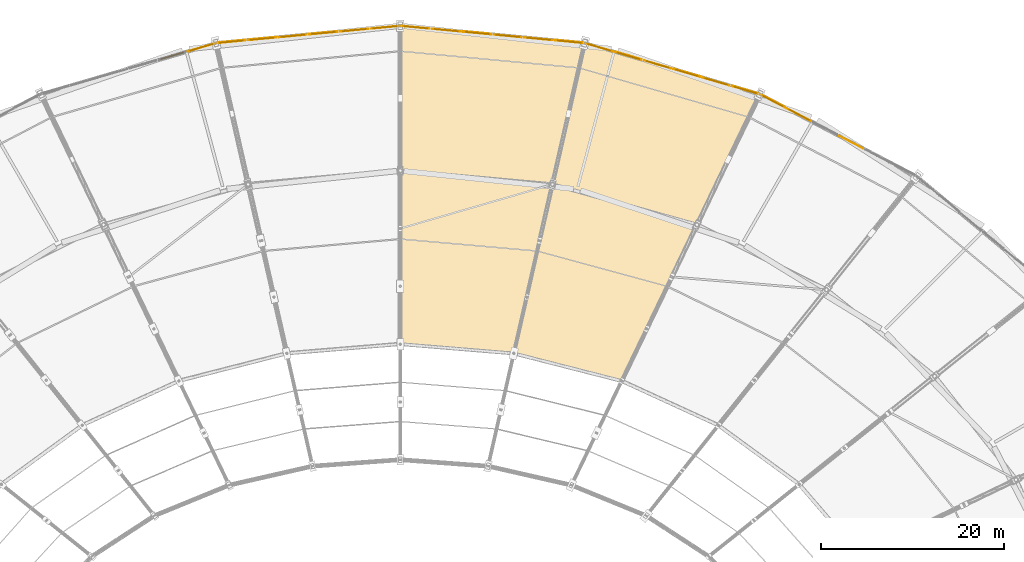
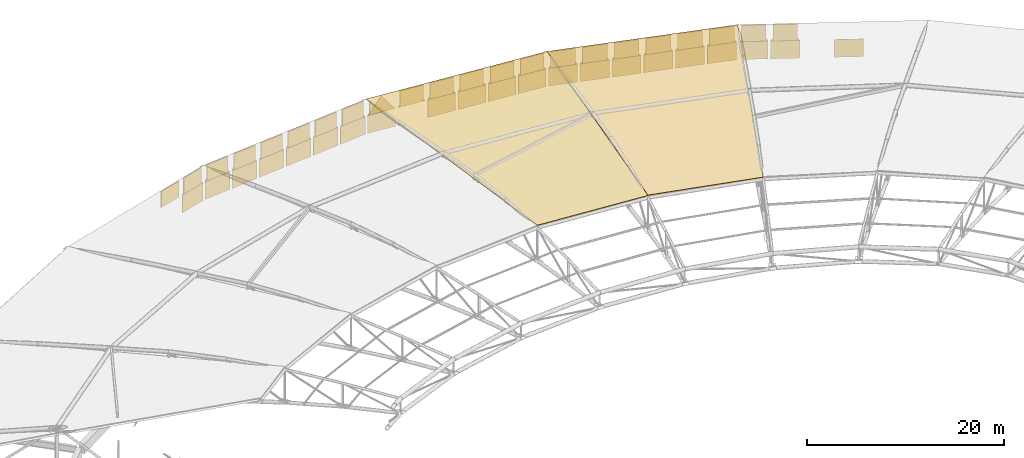
# One storey, part 107 of 108: 45 coverings, 22 shading devices.
"""IFC4 building model written with IfcOpenShell, lengths in metres."""

import ifcopenshell
import ifcopenshell.guid

model = None  # the IFC model being written
_history = None  # IfcOwnerHistory: only IFC2X3 demands one
_inside = {}  # id of a spatial element -> (the spatial element, [elements in it])
_under = {}  # id of a project, library or spatial element -> (it, [spatial elements below it])
_declared = {}  # id of a project -> (the project, [libraries it declares])
_typed = {}  # id of a type object -> (the type object, [elements of that type])
_made_of = {}  # id of a material, layer set ... -> (it, [elements and type objects made of it])


def new_model(schema):
    """Start an empty IFC model of exactly this schema.

    Asked for "IFC4X3", IfcOpenShell would pick the latest addendum, in which some entities
    have other attributes; the version numbers below select the first issue.
    IFC2X3 requires an IfcOwnerHistory on every rooted entity: one is made here for all.
    """
    global model, _history
    if schema == "IFC4X3":
        model = ifcopenshell.file(schema_version=(4, 3, 0, 0))
    else:
        model = ifcopenshell.file(schema=schema)
    _inside.clear()
    _under.clear()
    _declared.clear()
    _typed.clear()
    _made_of.clear()
    _history = None
    if model.schema == "IFC2X3":
        org = make("IfcOrganization", Name="unknown")
        user = make(
            "IfcPersonAndOrganization",
            ThePerson=make("IfcPerson", FamilyName="unknown"),
            TheOrganization=org,
        )
        app = make(
            "IfcApplication",
            ApplicationDeveloper=org,
            Version="unknown",
            ApplicationFullName="unknown",
            ApplicationIdentifier="unknown",
        )
        _history = make(
            "IfcOwnerHistory",
            OwningUser=user,
            OwningApplication=app,
            ChangeAction="ADDED",
            CreationDate=0,
        )
    return model


def make(cls, **values):
    """One entity of the class cls with the attributes given. An attribute that is None is left unset."""
    return model.create_entity(
        cls, **{name: value for name, value in values.items() if value is not None}
    )


def rooted(cls, **values):
    """An entity with a GlobalId (a new one), such as an element, a storey or a relation."""
    return make(cls, GlobalId=ifcopenshell.guid.new(), OwnerHistory=_history, **values)


def si_unit(unit_type, name, prefix=None):
    """IfcSIUnit, for example si_unit("LENGTHUNIT", "METRE", prefix="MILLI")."""
    return make("IfcSIUnit", UnitType=unit_type, Prefix=prefix, Name=name)


def assignment(units):
    """IfcUnitAssignment: the units of a project."""
    return None if units is None else make("IfcUnitAssignment", Units=units)


def point(xyz):
    """IfcCartesianPoint."""
    return None if xyz is None else make("IfcCartesianPoint", Coordinates=xyz)


def direction(xyz):
    """IfcDirection."""
    return None if xyz is None else make("IfcDirection", DirectionRatios=xyz)


def frame(location, z_axis=None, x_axis=None):
    """IfcAxis2Placement3D, a coordinate frame: its origin and axes. An axis left out is left unset."""
    return make(
        "IfcAxis2Placement3D",
        Location=point(location),
        Axis=direction(z_axis),
        RefDirection=direction(x_axis),
    )


def frame_2d(location, x_axis=None):
    """IfcAxis2Placement2D, a coordinate frame in the plane: its origin and x axis."""
    return make(
        "IfcAxis2Placement2D", Location=point(location), RefDirection=direction(x_axis)
    )


def origin():
    """The frame at (0, 0, 0) with its axes left unset."""
    return frame((0.0, 0.0, 0.0))


def origin_2d():
    """The frame at (0, 0) in the plane with its x axis left unset."""
    return frame_2d((0.0, 0.0))


def place(relative_to, where):
    """IfcLocalPlacement: puts the frame where relative to a parent placement (None: the world)."""
    return make(
        "IfcLocalPlacement", PlacementRelTo=relative_to, RelativePlacement=where
    )


def context(
    kind, dimensions, precision=None, world=None, true_north=None, identifier=None
):
    """IfcGeometricRepresentationContext, for example the 3D "Model" context."""
    return make(
        "IfcGeometricRepresentationContext",
        ContextIdentifier=identifier,
        ContextType=kind,
        CoordinateSpaceDimension=dimensions,
        Precision=precision,
        WorldCoordinateSystem=world,
        TrueNorth=true_north,
    )


def subcontext(parent, identifier, kind, view, scale=None):
    """IfcGeometricRepresentationSubContext, for example "Body" below "Model"."""
    return make(
        "IfcGeometricRepresentationSubContext",
        ContextIdentifier=identifier,
        ContextType=kind,
        ParentContext=parent,
        TargetScale=scale,
        TargetView=view,
    )


def project(units=None, contexts=None):
    """IfcProject with its units and contexts."""
    return rooted(
        "IfcProject",
        Name="project",
        RepresentationContexts=contexts,
        UnitsInContext=assignment(units),
    )


def spatial(cls, under=None, at=None, **own):
    """A site, building, storey or space (cls), placed at a placement, below another one or the project."""
    s = rooted(cls, ObjectPlacement=at, **own)
    if under is not None:
        _under.setdefault(under.id(), (under, []))[1].append(s)
    return s


def polyline(points):
    """IfcPolyline through the points."""
    return make("IfcPolyline", Points=[point(p) for p in points])


def profile(cls, at=None, kind="AREA", **sizes):
    """A parametric profile (cls). Its sizes go by their IFC names, for example OverallWidth=200.0."""
    return make(cls, ProfileType=kind, Position=at, **sizes)


def rectangle(**sizes):
    """IfcRectangleProfileDef."""
    return profile("IfcRectangleProfileDef", **sizes)


def outline(outer, holes=None, kind="AREA"):
    """IfcArbitraryClosedProfileDef: a profile drawn as a closed curve; with holes, ...WithVoids."""
    if holes is None:
        return make("IfcArbitraryClosedProfileDef", ProfileType=kind, OuterCurve=outer)
    return make(
        "IfcArbitraryProfileDefWithVoids",
        ProfileType=kind,
        OuterCurve=outer,
        InnerCurves=holes,
    )


def extrude(swept, where, along, depth):
    """IfcExtrudedAreaSolid: the profile swept, set in the frame where, extruded along a direction by depth."""
    return make(
        "IfcExtrudedAreaSolid",
        SweptArea=swept,
        Position=where,
        ExtrudedDirection=direction(along),
        Depth=depth,
    )


def shape(context_of_items, identifier, shape_type, items):
    """IfcShapeRepresentation: the items that make up one representation, for example the "Body"."""
    return make(
        "IfcShapeRepresentation",
        ContextOfItems=context_of_items,
        RepresentationIdentifier=identifier,
        RepresentationType=shape_type,
        Items=items,
    )


def material(Name=None, Category=None):
    """IfcMaterial."""
    return make("IfcMaterial", Name=Name, Category=Category)


def layer(
    of_material, thickness, ventilated=None, Name=None, Category=None, Priority=None
):
    """IfcMaterialLayer: one layer of a wall or slab, of a material (None: an air gap)."""
    return make(
        "IfcMaterialLayer",
        Material=of_material,
        LayerThickness=thickness,
        IsVentilated=ventilated,
        Name=Name,
        Category=Category,
        Priority=Priority,
    )


def layer_set(layers, Name=None):
    """IfcMaterialLayerSet."""
    return make("IfcMaterialLayerSet", MaterialLayers=layers, LayerSetName=Name)


def made_of(thing, what):
    """Note that an element or type object is made of a material, layer set ...; save() writes the relation."""
    if what is not None:
        _made_of.setdefault(what.id(), (what, []))[1].append(thing)
    return thing


def type_object(cls, material=None, **own):
    """A type object (cls), such as IfcWallType, which elements share."""
    return made_of(rooted(cls, **own), material)


def element(
    cls,
    number,
    at=None,
    inside=None,
    cuts=None,
    type_object=None,
    material=None,
    context=None,
    identifier="Body",
    shape_type=None,
    held_by="IfcProductDefinitionShape",
    body=None,
    shapes=None,
    **own,
):
    """One element of the class cls, such as IfcWall. Its Tag is "e" and its number.

    at: its placement. inside: the storey or other place that contains it. cuts: it is an
    opening in that element (IfcRelVoidsElement). A single representation is given by context,
    identifier, shape_type and body (its items); several are given by shapes. held_by: the class
    of the entity that holds the representations. save() writes the other relations.
    """
    e = rooted(cls, Tag="e%d" % number, ObjectPlacement=at, **own)
    if body is not None:
        shapes = [shape(context, identifier, shape_type, body)]
    if shapes is not None:
        e.Representation = make(held_by, Representations=shapes)
    if inside is not None:
        _inside.setdefault(inside.id(), (inside, []))[1].append(e)
    if cuts is not None:
        rooted(
            "IfcRelVoidsElement", RelatingBuildingElement=cuts, RelatedOpeningElement=e
        )
    if type_object is not None:
        _typed.setdefault(type_object.id(), (type_object, []))[1].append(e)
    return made_of(e, material)


def aggregate(whole, parts):
    """IfcRelAggregates: a whole, such as a stair, and the parts it consists of."""
    return rooted("IfcRelAggregates", RelatingObject=whole, RelatedObjects=parts)


def save(model, path):
    """Write the relations noted so far, then the file.

    IfcRelAggregates (storeys below a building ...), IfcRelContainedInSpatialStructure (elements
    in a storey), IfcRelDefinesByType, IfcRelAssociatesMaterial and IfcRelDeclares: one each for
    every whole, place, type object, material and project.
    """
    for whole, parts in _under.values():
        aggregate(whole, parts)
    for where, things in _inside.values():
        rooted(
            "IfcRelContainedInSpatialStructure",
            RelatedElements=things,
            RelatingStructure=where,
        )
    for kind, things in _typed.values():
        rooted("IfcRelDefinesByType", RelatedObjects=things, RelatingType=kind)
    for what, things in _made_of.values():
        rooted("IfcRelAssociatesMaterial", RelatedObjects=things, RelatingMaterial=what)
    for by, libraries in _declared.values():
        rooted("IfcRelDeclares", RelatingContext=by, RelatedDefinitions=libraries)
    model.write(path)


model = new_model("IFC4")

# Units and contexts
model_context = context("Model", 3, precision=1e-05, world=origin(), true_north=direction((0.0, 1.0)))
body_context = subcontext(model_context, "Body", "Model", "MODEL_VIEW")
ifc_project = project(units=[si_unit("LENGTHUNIT", "METRE"), si_unit("AREAUNIT", "SQUARE_METRE"), si_unit("VOLUMEUNIT", "CUBIC_METRE"), si_unit("PLANEANGLEUNIT", "RADIAN"), si_unit("MASSUNIT", "GRAM", prefix="KILO")], contexts=[model_context])

# Site, building, storey
site_placement = place(None, origin())
site = spatial("IfcSite", under=ifc_project, at=site_placement, CompositionType="ELEMENT")
building_placement = place(site_placement, origin())
building = spatial("IfcBuilding", under=site, at=building_placement, Name="Zevraka Park Crest Stadium", CompositionType="ELEMENT")
storey_placement = place(building_placement, frame((0.0, 0.0, 29.39990234375)))
storey = spatial("IfcBuildingStorey", under=building, at=storey_placement, Name="RF", CompositionType="ELEMENT", Elevation=29.39990234375)

# Coverings
ifc_material_1 = material(Name="Architectural golden-bronze perforated aluminium", Category="aluminium")
ifc_layer_1 = layer(ifc_material_1, 0.034912109375)
ifc_layer_set_1 = layer_set([ifc_layer_1], Name="Architectural golden-bronze perforated aluminium")
covering_type_1 = type_object("IfcCoveringType", Name="CLD01", PredefinedType="CLADDING", material=ifc_layer_set_1)
for number, where, z_axis, x_axis, name in (
    (1, (162.47998046875, 153.922119140625, 0.0), (0.464265532752, 0.885696062483, 0.0), (-0.885696062483, 0.464265532752, 0.0), "Canopy Crown Perforated Bronze Fascia 05-3A"),
    (2, (156.77294921875, 156.912109375, 0.0), (0.464265532752, 0.885696062483, 0.0), (-0.885696062483, 0.464265532752, 0.0), "Canopy Crown Perforated Bronze Fascia 05-5A"),
):
    element("IfcCovering", number, at=place(storey_placement, frame(where, z_axis=z_axis, x_axis=x_axis)), inside=storey, type_object=covering_type_1, Name=name, PredefinedType="CLADDING", context=body_context, shape_type="SweptSolid", body=[
        extrude(outline(polyline([(0.0, 0.0), (2.9637706558621093, 0.0), (2.9637706558621093, 2.2001953125), (0.0, 2.2001953125), (0.0, 0.0)])), origin(), (0.0, 0.0, -1.0), 0.044921875),
    ])
covering_1_placement = place(storey_placement, frame((156.77294921875, 156.912109375, 2.2001953125), z_axis=(0.464265529885, 0.885696057014, 0.000111134777), x_axis=(-0.885696062483, 0.464265532752, 0.0)))
element("IfcCovering", 3, at=covering_1_placement, inside=storey, type_object=covering_type_1, Name="Canopy Crown Triangular Bronze Screen 05-5B", PredefinedType="CLADDING", context=body_context, shape_type="SweptSolid", body=[
    extrude(outline(polyline([(0.0, 0.0), (2.9637706558621093, 0.0), (1.482317796711564, 2.0397949344716912), (0.0, 0.0)])), origin(), (0.0, 0.0, -1.0), 0.044921875),
])
covering_2_placement = place(storey_placement, frame((153.9189453125, 158.407958984375, 0.0), z_axis=(0.464006994671, 0.88583153528, 0.0), x_axis=(-0.88583153528, 0.464006994671, 0.0)))
element("IfcCovering", 4, at=covering_2_placement, inside=storey, type_object=covering_type_1, Name="Canopy Crown Perforated Bronze Fascia 05-6A", PredefinedType="CLADDING", context=body_context, shape_type="SweptSolid", body=[
    extrude(outline(polyline([(0.0, 0.0), (2.9633173977824248, 0.0), (2.9633173977824248, 2.2001953125), (0.0, 2.2001953125), (0.0, 0.0)])), origin(), (0.0, 0.0, -1.0), 0.044921875),
])
covering_3_placement = place(storey_placement, frame((153.9189453125, 158.407958984375, 2.2001953125), z_axis=(-0.464006992305, -0.885831530764, 0.000100975353), x_axis=(-0.88583153528, 0.464006994671, 0.0)))
element("IfcCovering", 5, at=covering_3_placement, inside=storey, type_object=covering_type_1, Name="Canopy Crown Triangular Bronze Screen 05-6B", PredefinedType="CLADDING", context=body_context, shape_type="SweptSolid", body=[
    extrude(outline(polyline([(0.0, 0.0), (2.963317397782425, 0.0), (1.482317799735915, -2.0397949322738973), (0.0, 0.0)])), origin(), (0.0, 0.0, -1.0), 0.044921875),
])
covering_4_placement = place(storey_placement, frame((151.052978515625, 159.8798828125, 0.0), z_axis=(0.280089166115, 0.959973988723, 0.0), x_axis=(-0.959973988723, 0.280089166115, 0.0)))
element("IfcCovering", 6, at=covering_4_placement, inside=storey, type_object=covering_type_1, Name="Canopy Crown Perforated Bronze Fascia 06-1A", PredefinedType="CLADDING", context=body_context, shape_type="SweptSolid", body=[
    extrude(outline(polyline([(0.0, 0.0), (3.0490429819023257, 0.0), (3.0490429819023257, 2.2001953125), (0.0, 2.2001953125), (0.0, 0.0)])), origin(), (0.0, 0.0, -1.0), 0.044921875),
])
covering_5_placement = place(storey_placement, frame((151.052978515625, 159.8798828125, 2.2001953125), z_axis=(-0.280089165131, -0.959973985352, 8.3808847e-05), x_axis=(-0.959973988723, 0.280089166115, 0.0)))
element("IfcCovering", 7, at=covering_5_placement, inside=storey, type_object=covering_type_1, Name="Canopy Crown Triangular Bronze Screen 06-1B", PredefinedType="CLADDING", context=body_context, shape_type="SweptSolid", body=[
    extrude(outline(polyline([(0.0, 0.0), (3.0490429819023257, 1.3552527156068805e-20), (1.5239355693271863, -2.039794929038681), (0.0, 0.0)])), origin(), (0.0, 0.0, -1.0), 0.044921875),
])
covering_6_placement = place(storey_placement, frame((147.8720703125, 160.80810546875, 0.0), z_axis=(0.280089166115, 0.959973988723, 0.0), x_axis=(-0.959973988723, 0.280089166115, 0.0)))
element("IfcCovering", 8, at=covering_6_placement, inside=storey, type_object=covering_type_1, Name="Canopy Crown Perforated Bronze Fascia 06-2A", PredefinedType="CLADDING", context=body_context, shape_type="SweptSolid", body=[
    extrude(outline(polyline([(0.0, 0.0), (3.0490429819023257, 0.0), (3.0490429819023257, 2.2001953125), (0.0, 2.2001953125), (0.0, 0.0)])), origin(), (0.0, 0.0, -1.0), 0.044921875),
])
covering_7_placement = place(storey_placement, frame((147.8720703125, 160.80810546875, 2.2001953125), z_axis=(0.280089165131, 0.959973985352, 8.3808847e-05), x_axis=(-0.959973988723, 0.280089166115, 0.0)))
element("IfcCovering", 9, at=covering_7_placement, inside=storey, type_object=covering_type_1, Name="Canopy Crown Triangular Bronze Screen 06-2B", PredefinedType="CLADDING", context=body_context, shape_type="SweptSolid", body=[
    extrude(outline(polyline([(0.0, 0.0), (3.0490429819023257, 1.3552527156068805e-20), (1.5251074125751394, 2.039794929038681), (0.0, 0.0)])), origin(), (0.0, 0.0, -1.0), 0.044921875),
])
covering_8_placement = place(storey_placement, frame((144.69091796875, 161.736083984375, 0.0), z_axis=(0.280089166115, 0.959973988723, 0.0), x_axis=(-0.959973988723, 0.280089166115, 0.0)))
element("IfcCovering", 10, at=covering_8_placement, inside=storey, type_object=covering_type_1, Name="Canopy Crown Perforated Bronze Fascia 06-3A", PredefinedType="CLADDING", context=body_context, shape_type="SweptSolid", body=[
    extrude(outline(polyline([(0.0, 0.0), (3.0490429819023257, 0.0), (3.0490429819023257, 2.2001953125), (0.0, 2.2001953125), (0.0, 0.0)])), origin(), (0.0, 0.0, -1.0), 0.044921875),
])
covering_9_placement = place(storey_placement, frame((144.69091796875, 161.736083984375, 2.2001953125), z_axis=(-0.280089165131, -0.959973985352, 8.3808847e-05), x_axis=(-0.959973988723, 0.280089166115, 0.0)))
element("IfcCovering", 11, at=covering_9_placement, inside=storey, type_object=covering_type_1, Name="Canopy Crown Triangular Bronze Screen 06-3B", PredefinedType="CLADDING", context=body_context, shape_type="SweptSolid", body=[
    extrude(outline(polyline([(0.0, 0.0), (3.0490429819023257, 1.3552527156068805e-20), (1.5239355693271863, -2.039794929038681), (0.0, 0.0)])), origin(), (0.0, 0.0, -1.0), 0.044921875),
])
covering_10_placement = place(storey_placement, frame((141.510009765625, 162.6650390625, 0.0), z_axis=(0.280089166115, 0.959973988723, 0.0), x_axis=(-0.959973988723, 0.280089166115, 0.0)))
element("IfcCovering", 12, at=covering_10_placement, inside=storey, type_object=covering_type_1, Name="Canopy Crown Perforated Bronze Fascia 06-4A", PredefinedType="CLADDING", context=body_context, shape_type="SweptSolid", body=[
    extrude(outline(polyline([(0.0, 0.0), (3.0490429819023257, 0.0), (3.0490429819023257, 2.2001953125), (0.0, 2.2001953125), (0.0, 0.0)])), origin(), (0.0, 0.0, -1.0), 0.044921875),
])
covering_11_placement = place(storey_placement, frame((141.510009765625, 162.6650390625, 2.2001953125), z_axis=(0.280089165131, 0.959973985352, 8.3808847e-05), x_axis=(-0.959973988723, 0.280089166115, 0.0)))
element("IfcCovering", 13, at=covering_11_placement, inside=storey, type_object=covering_type_1, Name="Canopy Crown Triangular Bronze Screen 06-4B", PredefinedType="CLADDING", context=body_context, shape_type="SweptSolid", body=[
    extrude(outline(polyline([(0.0, 0.0), (3.0490429819023257, 1.3552527156068805e-20), (1.5251074125751394, 2.039794929038681), (0.0, 0.0)])), origin(), (0.0, 0.0, -1.0), 0.044921875),
])
covering_12_placement = place(storey_placement, frame((138.3291015625, 163.593017578125, 0.0), z_axis=(0.280089166115, 0.959973988723, 0.0), x_axis=(-0.959973988723, 0.280089166115, 0.0)))
element("IfcCovering", 14, at=covering_12_placement, inside=storey, type_object=covering_type_1, Name="Canopy Crown Perforated Bronze Fascia 06-5A", PredefinedType="CLADDING", context=body_context, shape_type="SweptSolid", body=[
    extrude(outline(polyline([(0.0, 0.0), (3.0490429819023257, 0.0), (3.0490429819023257, 2.2001953125), (0.0, 2.2001953125), (0.0, 0.0)])), origin(), (0.0, 0.0, -1.0), 0.044921875),
])
covering_13_placement = place(storey_placement, frame((138.3291015625, 163.593017578125, 2.2001953125), z_axis=(-0.280089165761, -0.959973987509, 5.0285308e-05), x_axis=(-0.959973988723, 0.280089166115, 0.0)))
element("IfcCovering", 15, at=covering_13_placement, inside=storey, type_object=covering_type_1, Name="Canopy Crown Triangular Bronze Screen 06-5B", PredefinedType="CLADDING", context=body_context, shape_type="SweptSolid", body=[
    extrude(outline(polyline([(0.0, 0.0), (3.0490429819023257, 0.0), (1.5241699379767768, -2.039794924453925), (0.0, 0.0)])), origin(), (0.0, 0.0, -1.0), 0.044921875),
])
covering_14_placement = place(storey_placement, frame((135.14794921875, 164.52099609375, 0.0), z_axis=(0.280089166115, 0.959973988723, 0.0), x_axis=(-0.959973988723, 0.280089166115, 0.0)))
element("IfcCovering", 16, at=covering_14_placement, inside=storey, type_object=covering_type_1, Name="Canopy Crown Perforated Bronze Fascia 06-6A", PredefinedType="CLADDING", context=body_context, shape_type="SweptSolid", body=[
    extrude(outline(polyline([(0.0, 0.0), (3.0490429819023257, 0.0), (3.0490429819023257, 2.2001953125), (0.0, 2.2001953125), (0.0, 0.0)])), origin(), (0.0, 0.0, -1.0), 0.044921875),
])
covering_15_placement = place(storey_placement, frame((135.14794921875, 164.52099609375, 2.2001953125), z_axis=(0.280089165761, 0.959973987509, 5.0285308e-05), x_axis=(-0.959973988723, 0.280089166115, 0.0)))
element("IfcCovering", 17, at=covering_15_placement, inside=storey, type_object=covering_type_1, Name="Canopy Crown Triangular Bronze Screen 06-6B", PredefinedType="CLADDING", context=body_context, shape_type="SweptSolid", body=[
    extrude(outline(polyline([(0.0, 0.0), (3.0490429819023257, 0.0), (1.5248730439255487, 2.039794924453925), (0.0, 0.0)])), origin(), (0.0, 0.0, -1.0), 0.044921875),
])
covering_16_placement = place(storey_placement, frame((131.9599609375, 165.425048828125, 0.0), z_axis=(0.093409138285, 0.995627808413, 0.0), x_axis=(-0.995627808413, 0.093409138285, 0.0)))
element("IfcCovering", 18, at=covering_16_placement, inside=storey, type_object=covering_type_1, Name="Canopy Crown Perforated Bronze Fascia 07-1A", PredefinedType="CLADDING", context=body_context, shape_type="SweptSolid", body=[
    extrude(outline(polyline([(0.0, 0.0), (3.0945848051510843, 0.0), (3.0945848051510843, 2.2001953125), (0.0, 2.2001953125), (0.0, 0.0)])), origin(), (0.0, 0.0, -1.0), 0.044921875),
])
covering_17_placement = place(storey_placement, frame((131.9599609375, 165.425048828125, 2.2001953125), z_axis=(-0.093409135111, -0.995627774581, 0.000260691062), x_axis=(-0.995627808413, 0.093409138285, 0.0)))
element("IfcCovering", 19, at=covering_17_placement, inside=storey, type_object=covering_type_1, Name="Canopy Crown Triangular Bronze Screen 07-1B", PredefinedType="CLADDING", context=body_context, shape_type="SweptSolid", body=[
    extrude(outline(polyline([(0.0, 0.0), (3.0945848051510843, 0.0), (1.5468518661155188, -2.0397949911870614), (0.0, 0.0)])), origin(), (0.0, 0.0, -1.0), 0.044921875),
])
covering_18_placement = place(storey_placement, frame((128.611083984375, 165.739013671875, 0.0), z_axis=(0.093721942407, 0.995598411766, 0.0), x_axis=(-0.995598411766, 0.093721942407, 0.0)))
element("IfcCovering", 20, at=covering_18_placement, inside=storey, type_object=covering_type_1, Name="Canopy Crown Perforated Bronze Fascia 07-2A", PredefinedType="CLADDING", context=body_context, shape_type="SweptSolid", body=[
    extrude(outline(polyline([(0.0, 0.0), (3.0946761777513334, 0.0), (3.0946761777513334, 2.2001953125), (0.0, 2.2001953125), (0.0, 0.0)])), origin(), (0.0, 0.0, -1.0), 0.044921875),
])
covering_19_placement = place(storey_placement, frame((128.611083984375, 165.739013671875, 2.2001953125), z_axis=(0.093721942384, 0.995598411516, 2.2434935e-05), x_axis=(-0.995598411766, 0.093721942407, 0.0)))
element("IfcCovering", 21, at=covering_19_placement, inside=storey, type_object=covering_type_1, Name="Canopy Crown Triangular Bronze Screen 07-2B", PredefinedType="CLADDING", context=body_context, shape_type="SweptSolid", body=[
    extrude(outline(polyline([(0.0, 0.0), (3.0946761777513334, 8.470329472543003e-22), (1.5478242209126618, 2.039794922388341), (0.0, 0.0)])), origin(), (0.0, 0.0, -1.0), 0.044921875),
])
covering_20_placement = place(storey_placement, frame((125.261962890625, 166.053955078125, 0.0), z_axis=(0.093409138285, 0.995627808413, 0.0), x_axis=(-0.995627808413, 0.093409138285, 0.0)))
element("IfcCovering", 22, at=covering_20_placement, inside=storey, type_object=covering_type_1, Name="Canopy Crown Perforated Bronze Fascia 07-3A", PredefinedType="CLADDING", context=body_context, shape_type="SweptSolid", body=[
    extrude(outline(polyline([(0.0, 0.0), (3.0945848051510843, 0.0), (3.0945848051510843, 2.2001953125), (0.0, 2.2001953125), (0.0, 0.0)])), origin(), (0.0, 0.0, -1.0), 0.044921875),
])
covering_21_placement = place(storey_placement, frame((125.261962890625, 166.053955078125, 2.2001953125), z_axis=(0.093409135111, 0.995627774581, 0.000260691062), x_axis=(-0.995627808413, 0.093409138285, 0.0)))
element("IfcCovering", 23, at=covering_21_placement, inside=storey, type_object=covering_type_1, Name="Canopy Crown Triangular Bronze Screen 07-3B", PredefinedType="CLADDING", context=body_context, shape_type="SweptSolid", body=[
    extrude(outline(polyline([(0.0, 0.0), (3.0945848051510843, 0.0), (1.5477329390355652, 2.0397949911870614), (0.0, 0.0)])), origin(), (0.0, 0.0, -1.0), 0.044921875),
])
covering_22_placement = place(storey_placement, frame((121.9130859375, 166.368896484375, 0.0), z_axis=(0.093409138285, 0.995627808413, 0.0), x_axis=(-0.995627808413, 0.093409138285, 0.0)))
element("IfcCovering", 24, at=covering_22_placement, inside=storey, type_object=covering_type_1, Name="Canopy Crown Perforated Bronze Fascia 07-4A", PredefinedType="CLADDING", context=body_context, shape_type="SweptSolid", body=[
    extrude(outline(polyline([(0.0, 0.0), (3.0945848051510843, 0.0), (3.0945848051510843, 2.2001953125), (0.0, 2.2001953125), (0.0, 0.0)])), origin(), (0.0, 0.0, -1.0), 0.044921875),
])
covering_23_placement = place(storey_placement, frame((121.9130859375, 166.368896484375, 2.2001953125), z_axis=(-0.093409136107, -0.995627785193, 0.000215970951), x_axis=(-0.995627808413, 0.093409138285, 0.0)))
element("IfcCovering", 25, at=covering_23_placement, inside=storey, type_object=covering_type_1, Name="Canopy Crown Triangular Bronze Screen 07-4B", PredefinedType="CLADDING", context=body_context, shape_type="SweptSolid", body=[
    extrude(outline(polyline([(0.0, 0.0), (3.0945848051510843, 0.0), (1.547824158897172, -2.03979496944654), (0.0, 0.0)])), origin(), (0.0, 0.0, -1.0), 0.044921875),
])
covering_24_placement = place(storey_placement, frame((118.56396484375, 166.68310546875, 0.0), z_axis=(0.093643743975, 0.995605769978, 0.0), x_axis=(-0.995605769978, 0.093643743975, 0.0)))
element("IfcCovering", 26, at=covering_24_placement, inside=storey, type_object=covering_type_1, Name="Canopy Crown Perforated Bronze Fascia 07-5A", PredefinedType="CLADDING", context=body_context, shape_type="SweptSolid", body=[
    extrude(outline(polyline([(0.0, 0.0), (3.0946533059634094, 0.0), (3.0946533059634094, 2.2001953125), (0.0, 2.2001953125), (0.0, 0.0)])), origin(), (0.0, 0.0, -1.0), 0.044921875),
])
covering_25_placement = place(storey_placement, frame((118.56396484375, 166.68310546875, 2.2001953125), z_axis=(0.09364374391, 0.995605769291, 3.7165218e-05), x_axis=(-0.995605769978, 0.093643743975, 0.0)))
element("IfcCovering", 27, at=covering_25_placement, inside=storey, type_object=covering_type_1, Name="Canopy Crown Triangular Bronze Screen 07-5B", PredefinedType="CLADDING", context=body_context, shape_type="SweptSolid", body=[
    extrude(outline(polyline([(0.0, 0.0), (3.0946533059634094, 0.0), (1.546829086230742, 2.039794923283737), (0.0, 0.0)])), origin(), (0.0, 0.0, -1.0), 0.044921875),
])
covering_26_placement = place(storey_placement, frame((115.215087890625, 166.998046875, 0.0), z_axis=(0.093409138285, 0.995627808413, 0.0), x_axis=(-0.995627808413, 0.093409138285, 0.0)))
element("IfcCovering", 28, at=covering_26_placement, inside=storey, type_object=covering_type_1, Name="Canopy Crown Perforated Bronze Fascia 07-6A", PredefinedType="CLADDING", context=body_context, shape_type="SweptSolid", body=[
    extrude(outline(polyline([(0.0, 0.0), (3.0945848051510843, 0.0), (3.0945848051510843, 2.2001953125), (0.0, 2.2001953125), (0.0, 0.0)])), origin(), (0.0, 0.0, -1.0), 0.044921875),
])
covering_27_placement = place(storey_placement, frame((115.215087890625, 166.998046875, 2.2001953125), z_axis=(0.093409135111, 0.995627774581, 0.000260691062), x_axis=(-0.995627808413, 0.093409138285, 0.0)))
element("IfcCovering", 29, at=covering_27_placement, inside=storey, type_object=covering_type_1, Name="Canopy Crown Triangular Bronze Screen 07-6B", PredefinedType="CLADDING", context=body_context, shape_type="SweptSolid", body=[
    extrude(outline(polyline([(0.0, 0.0), (3.0945848051510843, 0.0), (1.5477329390355652, 2.0397949911870614), (0.0, 0.0)])), origin(), (0.0, 0.0, -1.0), 0.044921875),
])
covering_28_placement = place(storey_placement, frame((111.865966796875, 167.287109375, 0.0), z_axis=(-0.093409138285, 0.995627808413, 0.0), x_axis=(-0.995627808413, -0.093409138285, 0.0)))
element("IfcCovering", 30, at=covering_28_placement, inside=storey, type_object=covering_type_1, Name="Canopy Crown Perforated Bronze Fascia 08-1A", PredefinedType="CLADDING", context=body_context, shape_type="SweptSolid", body=[
    extrude(outline(polyline([(0.0, 0.0), (3.0945848051510843, 0.0), (3.0945848051510843, 2.2001953125), (0.0, 2.2001953125), (0.0, 0.0)])), origin(), (0.0, 0.0, -1.0), 0.044921875),
])
covering_29_placement = place(storey_placement, frame((111.865966796875, 167.287109375, 2.2001953125), z_axis=(-0.093409135111, 0.995627774581, 0.000260691062), x_axis=(-0.995627808413, -0.093409138285, 0.0)))
element("IfcCovering", 31, at=covering_29_placement, inside=storey, type_object=covering_type_1, Name="Canopy Crown Triangular Bronze Screen 08-1B", PredefinedType="CLADDING", context=body_context, shape_type="SweptSolid", body=[
    extrude(outline(polyline([(0.0, 0.0), (3.0945848051510843, 0.0), (1.5468518661155188, 2.0397949911870614), (0.0, 0.0)])), origin(), (0.0, 0.0, -1.0), 0.044921875),
])
covering_30_placement = place(storey_placement, frame((108.51708984375, 166.972900390625, 0.0), z_axis=(-0.093643743975, 0.995605769978, 0.0), x_axis=(-0.995605769978, -0.093643743975, 0.0)))
element("IfcCovering", 32, at=covering_30_placement, inside=storey, type_object=covering_type_1, Name="Canopy Crown Perforated Bronze Fascia 08-2A", PredefinedType="CLADDING", context=body_context, shape_type="SweptSolid", body=[
    extrude(outline(polyline([(0.0, 0.0), (3.0946533059634094, 0.0), (3.0946533059634094, 2.2001953125), (0.0, 2.2001953125), (0.0, 0.0)])), origin(), (0.0, 0.0, -1.0), 0.044921875),
])
covering_31_placement = place(storey_placement, frame((108.51708984375, 166.972900390625, 2.2001953125), z_axis=(-0.09364374391, 0.995605769291, 3.7165218e-05), x_axis=(-0.995605769978, -0.093643743975, 0.0)))
element("IfcCovering", 33, at=covering_31_placement, inside=storey, type_object=covering_type_1, Name="Canopy Crown Triangular Bronze Screen 08-2B", PredefinedType="CLADDING", context=body_context, shape_type="SweptSolid", body=[
    extrude(outline(polyline([(0.0, 0.0), (3.0946533059634094, 0.0), (1.547824219732668, 2.039794923283737), (0.0, 0.0)])), origin(), (0.0, 0.0, -1.0), 0.044921875),
])
covering_32_placement = place(storey_placement, frame((105.16796875, 166.657958984375, 0.0), z_axis=(-0.093409138285, 0.995627808413, 0.0), x_axis=(-0.995627808413, -0.093409138285, 0.0)))
element("IfcCovering", 34, at=covering_32_placement, inside=storey, type_object=covering_type_1, Name="Canopy Crown Perforated Bronze Fascia 08-3A", PredefinedType="CLADDING", context=body_context, shape_type="SweptSolid", body=[
    extrude(outline(polyline([(0.0, 0.0), (3.0945848051510843, 0.0), (3.0945848051510843, 2.2001953125), (0.0, 2.2001953125), (0.0, 0.0)])), origin(), (0.0, 0.0, -1.0), 0.044921875),
])
covering_33_placement = place(storey_placement, frame((105.16796875, 166.657958984375, 2.2001953125), z_axis=(0.093409136107, -0.995627785193, 0.000215970951), x_axis=(-0.995627808413, -0.093409138285, 0.0)))
element("IfcCovering", 35, at=covering_33_placement, inside=storey, type_object=covering_type_1, Name="Canopy Crown Triangular Bronze Screen 08-3B", PredefinedType="CLADDING", context=body_context, shape_type="SweptSolid", body=[
    extrude(outline(polyline([(0.0, 0.0), (3.0945848051510843, 0.0), (1.546760646253912, -2.03979496944654), (0.0, 0.0)])), origin(), (0.0, 0.0, -1.0), 0.044921875),
])
covering_34_placement = place(storey_placement, frame((101.819091796875, 166.343017578125, 0.0), z_axis=(-0.093409138285, 0.995627808413, 0.0), x_axis=(-0.995627808413, -0.093409138285, 0.0)))
element("IfcCovering", 36, at=covering_34_placement, inside=storey, type_object=covering_type_1, Name="Canopy Crown Perforated Bronze Fascia 08-4A", PredefinedType="CLADDING", context=body_context, shape_type="SweptSolid", body=[
    extrude(outline(polyline([(0.0, 0.0), (3.0945848051510843, 0.0), (3.0945848051510843, 2.2001953125), (0.0, 2.2001953125), (0.0, 0.0)])), origin(), (0.0, 0.0, -1.0), 0.044921875),
])
covering_35_placement = place(storey_placement, frame((101.819091796875, 166.343017578125, 2.2001953125), z_axis=(-0.093409135111, 0.995627774581, 0.000260691062), x_axis=(-0.995627808413, -0.093409138285, 0.0)))
element("IfcCovering", 37, at=covering_35_placement, inside=storey, type_object=covering_type_1, Name="Canopy Crown Triangular Bronze Screen 08-4B", PredefinedType="CLADDING", context=body_context, shape_type="SweptSolid", body=[
    extrude(outline(polyline([(0.0, 0.0), (3.0945848051510843, 0.0), (1.5468518661155188, 2.0397949911870614), (0.0, 0.0)])), origin(), (0.0, 0.0, -1.0), 0.044921875),
])
covering_36_placement = place(storey_placement, frame((98.469970703125, 166.029052734375, 0.0), z_axis=(-0.093721942407, 0.995598411766, 0.0), x_axis=(-0.995598411766, -0.093721942407, 0.0)))
element("IfcCovering", 38, at=covering_36_placement, inside=storey, type_object=covering_type_1, Name="Canopy Crown Perforated Bronze Fascia 08-5A", PredefinedType="CLADDING", context=body_context, shape_type="SweptSolid", body=[
    extrude(outline(polyline([(0.0, 0.0), (3.0946761777513334, 0.0), (3.0946761777513334, 2.2001953125), (0.0, 2.2001953125), (0.0, 0.0)])), origin(), (0.0, 0.0, -1.0), 0.044921875),
])
covering_37_placement = place(storey_placement, frame((98.469970703125, 166.029052734375, 2.2001953125), z_axis=(0.093721942384, -0.995598411516, 2.2434935e-05), x_axis=(-0.995598411766, -0.093721942407, 0.0)))
element("IfcCovering", 39, at=covering_37_placement, inside=storey, type_object=covering_type_1, Name="Canopy Crown Triangular Bronze Screen 08-5B", PredefinedType="CLADDING", context=body_context, shape_type="SweptSolid", body=[
    extrude(outline(polyline([(0.0, 0.0), (3.0946761777513334, -8.470329472543003e-22), (1.5478242209126618, -2.039794922388341), (0.0, 0.0)])), origin(), (0.0, 0.0, -1.0), 0.044921875),
])
covering_38_placement = place(storey_placement, frame((95.12109375, 165.714111328125, 0.0), z_axis=(-0.093409138285, 0.995627808413, 0.0), x_axis=(-0.995627808413, -0.093409138285, 0.0)))
element("IfcCovering", 40, at=covering_38_placement, inside=storey, type_object=covering_type_1, Name="Canopy Crown Perforated Bronze Fascia 08-6A", PredefinedType="CLADDING", context=body_context, shape_type="SweptSolid", body=[
    extrude(outline(polyline([(0.0, 0.0), (3.0945848051510843, 0.0), (3.0945848051510843, 2.2001953125), (0.0, 2.2001953125), (0.0, 0.0)])), origin(), (0.0, 0.0, -1.0), 0.044921875),
])
covering_39_placement = place(storey_placement, frame((95.12109375, 165.714111328125, 2.2001953125), z_axis=(0.093409135111, -0.995627774581, 0.000260691062), x_axis=(-0.995627808413, -0.093409138285, 0.0)))
element("IfcCovering", 41, at=covering_39_placement, inside=storey, type_object=covering_type_1, Name="Canopy Crown Triangular Bronze Screen 08-6B", PredefinedType="CLADDING", context=body_context, shape_type="SweptSolid", body=[
    extrude(outline(polyline([(0.0, 0.0), (3.0945848051510843, 0.0), (1.5477329390355652, -2.0397949911870614), (0.0, 0.0)])), origin(), (0.0, 0.0, -1.0), 0.044921875),
])
covering_40_placement = place(storey_placement, frame((91.779052734375, 165.375, 0.0), z_axis=(-0.280089166115, 0.959973988723, 0.0), x_axis=(-0.959973988723, -0.280089166115, 0.0)))
element("IfcCovering", 42, at=covering_40_placement, inside=storey, type_object=covering_type_1, Name="Canopy Crown Perforated Bronze Fascia 09-1A", PredefinedType="CLADDING", context=body_context, shape_type="SweptSolid", body=[
    extrude(outline(polyline([(0.0, 0.0), (3.0490429819023257, 0.0), (3.0490429819023257, 2.2001953125), (0.0, 2.2001953125), (0.0, 0.0)])), origin(), (0.0, 0.0, -1.0), 0.044921875),
])
covering_41_placement = place(storey_placement, frame((91.779052734375, 165.375, 2.2001953125), z_axis=(-0.280089165761, 0.959973987509, 5.0285308e-05), x_axis=(-0.959973988723, -0.280089166115, 0.0)))
element("IfcCovering", 43, at=covering_41_placement, inside=storey, type_object=covering_type_1, Name="Canopy Crown Triangular Bronze Screen 09-1B", PredefinedType="CLADDING", context=body_context, shape_type="SweptSolid", body=[
    extrude(outline(polyline([(0.0, 0.0), (3.0490429819023257, 0.0), (1.5241699379767768, 2.039794924453925), (0.0, 0.0)])), origin(), (0.0, 0.0, -1.0), 0.044921875),
])

# Shading devices
ifc_material_2 = material(Name="Terracotta and bronze acoustic ventilation louvre", Category="masonry")
ifc_layer_2 = layer(ifc_material_2, 0.080078125)
ifc_layer_set_2 = layer_set([ifc_layer_2], Name="Terracotta and bronze acoustic ventilation louvre")
shading_device_type = type_object("IfcShadingDeviceType", Name="LVR01", PredefinedType="USERDEFINED", material=ifc_layer_set_2)
for number, where, z_axis, x_axis, name in (
    (44, (155.4599609375, 157.60009765625, 2.22021484375), (0.0, 0.0, 1.0), (-0.88579893978, 0.464069217127, 0.0), "Canopy Crown Acoustic Wind Louvre 05-5"),
    (45, (152.60595703125, 159.095947265625, 2.22021484375), (0.0, 0.0, 1.0), (-0.88579893978, 0.464069217127, 0.0), "Canopy Crown Acoustic Wind Louvre 05-6"),
):
    element("IfcShadingDevice", number, at=place(storey_placement, frame(where, z_axis=z_axis, x_axis=x_axis)), inside=storey, type_object=shading_device_type, Name=name, ObjectType="LOUVRE", PredefinedType="USERDEFINED", context=body_context, shape_type="SweptSolid", body=[
        extrude(rectangle(XDim=2.51904296875, YDim=0.1201171875, at=origin_2d()), origin(), (0.0, 0.0, 1.0), 2.0),
    ])
for number, where, z_axis, x_axis, name in (
    (46, (149.590087890625, 160.306884765625, 2.22021484375), (0.0, 0.0, 1.0), (-0.959952117146, 0.280164117595, 0.0), "Canopy Crown Acoustic Wind Louvre 06-1"),
    (47, (146.407958984375, 161.235107421875, 2.22021484375), (0.0, 0.0, 1.0), (-0.959952117146, 0.280164117595, 0.0), "Canopy Crown Acoustic Wind Louvre 06-2"),
    (48, (143.22802734375, 162.1630859375, 2.22021484375), (0.0, 0.0, 1.0), (-0.959952117146, 0.280164117595, 0.0), "Canopy Crown Acoustic Wind Louvre 06-3"),
    (49, (140.0458984375, 163.092041015625, 2.22021484375), (0.0, 0.0, 1.0), (-0.959952117146, 0.280164117595, 0.0), "Canopy Crown Acoustic Wind Louvre 06-4"),
    (50, (136.865966796875, 164.02001953125, 2.22021484375), (0.0, 0.0, 1.0), (-0.959952117146, 0.280164117595, 0.0), "Canopy Crown Acoustic Wind Louvre 06-5"),
    (51, (133.68408203125, 164.947998046875, 2.22021484375), (0.0, 0.0, 1.0), (-0.959952117146, 0.280164117595, 0.0), "Canopy Crown Acoustic Wind Louvre 06-6"),
):
    element("IfcShadingDevice", number, at=place(storey_placement, frame(where, z_axis=z_axis, x_axis=x_axis)), inside=storey, type_object=shading_device_type, Name=name, ObjectType="LOUVRE", PredefinedType="USERDEFINED", context=body_context, shape_type="SweptSolid", body=[
        extrude(rectangle(XDim=2.591064453125, YDim=0.1201171875, at=origin_2d()), origin(), (0.0, 0.0, 1.0), 2.0),
    ])
for number, where, z_axis, x_axis, name in (
    (52, (130.419921875, 165.570068359375, 2.22021484375), (0.0, 0.0, 1.0), (-0.995611103129, 0.093587025416, 0.0), "Canopy Crown Acoustic Wind Louvre 07-1"),
    (53, (127.070068359375, 165.884033203125, 2.22021484375), (0.0, 0.0, 1.0), (-0.995611103129, 0.093587025416, 0.0), "Canopy Crown Acoustic Wind Louvre 07-2"),
    (54, (123.720947265625, 166.197998046875, 2.22021484375), (0.0, 0.0, 1.0), (-0.995611103129, 0.093587025416, 0.0), "Canopy Crown Acoustic Wind Louvre 07-3"),
    (55, (120.3720703125, 166.513916015625, 2.22021484375), (0.0, 0.0, 1.0), (-0.995611103129, 0.093587025416, 0.0), "Canopy Crown Acoustic Wind Louvre 07-4"),
    (56, (117.02392578125, 166.827880859375, 2.22021484375), (0.0, 0.0, 1.0), (-0.995611103129, 0.093587025416, 0.0), "Canopy Crown Acoustic Wind Louvre 07-5"),
    (57, (113.674072265625, 167.14208984375, 2.22021484375), (0.0, 0.0, 1.0), (-0.995611103129, 0.093587025416, 0.0), "Canopy Crown Acoustic Wind Louvre 07-6"),
    (58, (110.325927734375, 167.14208984375, 2.22021484375), (0.0, 0.0, 1.0), (-0.995611103129, -0.093587025416, 0.0), "Canopy Crown Acoustic Wind Louvre 08-1"),
    (59, (106.97607421875, 166.827880859375, 2.22021484375), (0.0, 0.0, 1.0), (-0.995611103129, -0.093587025416, 0.0), "Canopy Crown Acoustic Wind Louvre 08-2"),
    (60, (103.6279296875, 166.513916015625, 2.22021484375), (0.0, 0.0, 1.0), (-0.995611103129, -0.093587025416, 0.0), "Canopy Crown Acoustic Wind Louvre 08-3"),
    (61, (100.279052734375, 166.197998046875, 2.22021484375), (0.0, 0.0, 1.0), (-0.995611103129, -0.093587025416, 0.0), "Canopy Crown Acoustic Wind Louvre 08-4"),
    (62, (96.928955078125, 165.884033203125, 2.22021484375), (0.0, 0.0, 1.0), (-0.995611103129, -0.093587025416, 0.0), "Canopy Crown Acoustic Wind Louvre 08-5"),
    (63, (93.580078125, 165.570068359375, 2.22021484375), (0.0, 0.0, 1.0), (-0.995611103129, -0.093587025416, 0.0), "Canopy Crown Acoustic Wind Louvre 08-6"),
):
    element("IfcShadingDevice", number, at=place(storey_placement, frame(where, z_axis=z_axis, x_axis=x_axis)), inside=storey, type_object=shading_device_type, Name=name, ObjectType="LOUVRE", PredefinedType="USERDEFINED", context=body_context, shape_type="SweptSolid", body=[
        extrude(rectangle(XDim=2.6298828125, YDim=0.1201171875, at=origin_2d()), origin(), (0.0, 0.0, 1.0), 2.0),
    ])
for number, where, z_axis, x_axis, name in (
    (64, (90.31591796875, 164.947998046875, 2.22021484375), (0.0, 0.0, 1.0), (-0.959952117146, -0.280164117595, 0.0), "Canopy Crown Acoustic Wind Louvre 09-1"),
    (65, (87.134033203125, 164.02001953125, 2.22021484375), (0.0, 0.0, 1.0), (-0.959952117146, -0.280164117595, 0.0), "Canopy Crown Acoustic Wind Louvre 09-2"),
):
    element("IfcShadingDevice", number, at=place(storey_placement, frame(where, z_axis=z_axis, x_axis=x_axis)), inside=storey, type_object=shading_device_type, Name=name, ObjectType="LOUVRE", PredefinedType="USERDEFINED", context=body_context, shape_type="SweptSolid", body=[
        extrude(rectangle(XDim=2.591064453125, YDim=0.1201171875, at=origin_2d()), origin(), (0.0, 0.0, 1.0), 2.0),
    ])

# Coverings
ifc_material_3 = material(Name="Insulated standing-seam acoustic aluminium roofing", Category="aluminium")
ifc_layer_3 = layer(ifc_material_3, 0.06005859375)
ifc_layer_set_3 = layer_set([ifc_layer_3], Name="Insulated standing-seam acoustic aluminium roofing")
covering_type_2 = type_object("IfcCoveringType", Name="RCV01", PredefinedType="ROOFING", material=ifc_layer_set_3)
covering_42_placement = place(storey_placement, frame((151.179931640625, 159.843017578125, 4.300048828125), z_axis=(0.043398259759, 0.148725371122, 0.987925784173), x_axis=(-0.959968018352, 0.280109628072, 1.551768e-06)))
element("IfcCovering", 66, at=covering_42_placement, inside=storey, type_object=covering_type_2, Name="Canopy Acoustic Standing-Seam Roofing OUTER-06", PredefinedType="ROOFING", context=body_context, shape_type="SweptSolid", body=[
    extrude(outline(polyline([(0.0, 0.0), (19.881845832189512, 8.881784197001252e-16), (17.818523575519016, 35.062130843250785), (5.6958748048157695, 34.6480070270648), (0.0, 0.0)])), origin(), (0.0, 0.0, -1.0), 0.06005859375),
])
covering_43_placement = place(storey_placement, frame((132.093994140625, 165.412109375, 4.300048828125), z_axis=(0.014481203844, 0.154065798808, 0.987954464726), x_axis=(-0.995615114853, 0.093544337305, 5.792147e-06)))
element("IfcCovering", 67, at=covering_43_placement, inside=storey, type_object=covering_type_2, Name="Canopy Acoustic Standing-Seam Roofing OUTER-07", PredefinedType="ROOFING", context=body_context, shape_type="SweptSolid", body=[
    extrude(outline(polyline([(0.0, 0.0), (20.18249032919716, 6.661338147750939e-16), (16.93653773581871, 34.96903492530013), (4.523483051847872, 34.823529103079544), (0.0, 0.0)])), origin(), (0.0, 0.0, -1.0), 0.06005859375),
])

save(model, "model.ifc")
